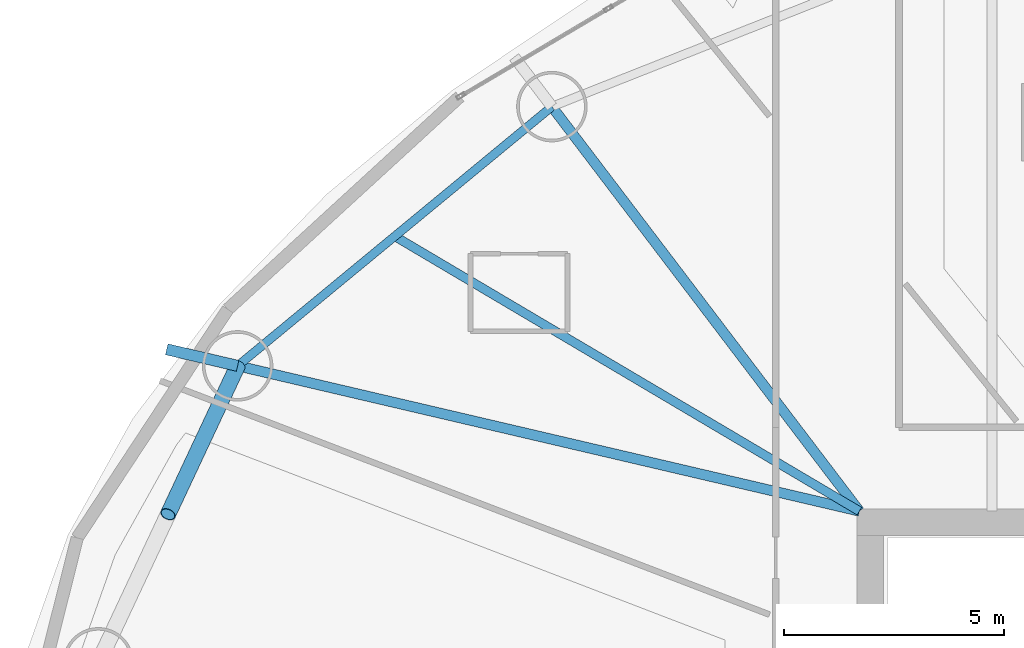
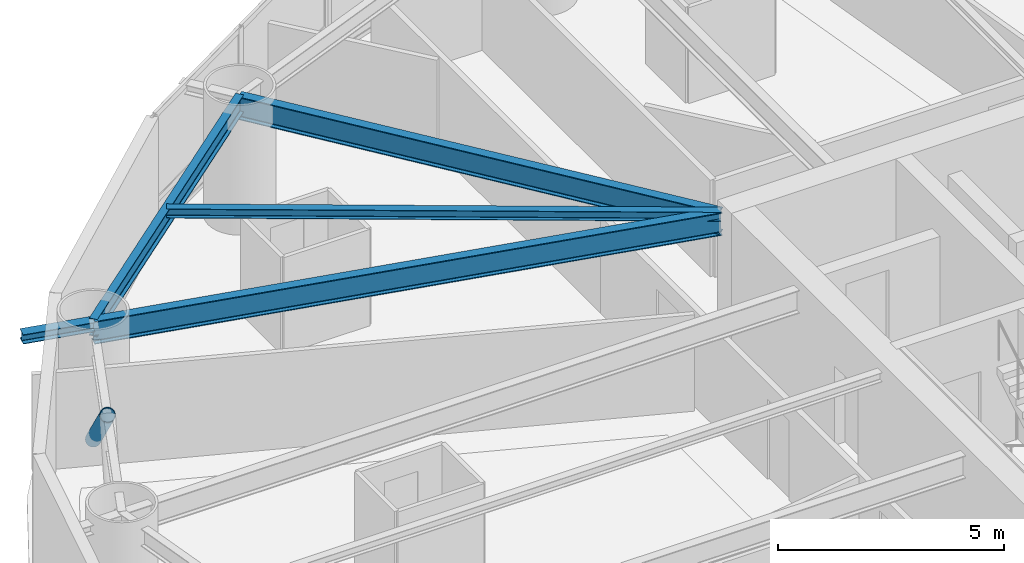
# One storey, part 11 of 25: 5 beams, 1 member.
"""IFC4 building model written with IfcOpenShell, lengths in metres."""

from ifc_helpers import new_model, si_unit, direction, frame, origin, origin_2d, place, context, subcontext, project, spatial, hollow_circle, i_section, extrude, material, material_profile, profile_set, type_object, element, save


model = new_model("IFC4")

# Units and contexts
model_context = context("Model", 3, precision=1e-05, world=origin(), true_north=direction((0.0, 1.0)))
body_context = subcontext(model_context, "Body", "Model", "MODEL_VIEW")
ifc_project = project(units=[si_unit("LENGTHUNIT", "METRE"), si_unit("AREAUNIT", "SQUARE_METRE"), si_unit("VOLUMEUNIT", "CUBIC_METRE"), si_unit("PLANEANGLEUNIT", "RADIAN"), si_unit("MASSUNIT", "GRAM", prefix="KILO")], contexts=[model_context])

# Site, building, storey
site_placement = place(None, origin())
site = spatial("IfcSite", under=ifc_project, at=site_placement, CompositionType="ELEMENT")
building_placement = place(site_placement, origin())
building = spatial("IfcBuilding", under=site, at=building_placement, Name="Bramvorn Convention Spire", CompositionType="ELEMENT")
storey_placement = place(building_placement, frame((0.0, 0.0, 48.39990234375)))
storey = spatial("IfcBuildingStorey", under=building, at=storey_placement, Name="L09", CompositionType="ELEMENT", Elevation=48.39990234375)

# Beams
ifc_material = material(Name="Steel CSA G40.21 Grade 350 (350W)", Category="steel")
ifc_material_profile_1 = material_profile(ifc_material, i_section(OverallWidth=0.201904296875, OverallDepth=0.2470703125, WebThickness=0.00732421875, FlangeThickness=0.010986328125, FilletRadius=0.011962890625, at=origin_2d()))
ifc_profile_set_1 = profile_set([ifc_material_profile_1], Name="Steel CSA G40.21 Grade 350 (350W) - W250X49")
beam_type_1 = type_object("IfcBeamType", Name="BM-W250X49", PredefinedType="JOIST", material=ifc_profile_set_1)
beam_1_placement = place(storey_placement, frame((26.75, 33.449951171875, 3.126708984375), z_axis=(-0.860664556648, 0.509172388223, 0.0), x_axis=(-0.509172388223, -0.860664556648, 0.0)))
element("IfcBeam", 1, at=beam_1_placement, inside=storey, type_object=beam_type_1, Name="L09 composite floor joist 07", PredefinedType="JOIST", context=body_context, shape_type="SweptSolid", body=[
    extrude(i_section(OverallWidth=0.201904296875, OverallDepth=0.2470703125, WebThickness=0.00732421875, FlangeThickness=0.010986328125, FilletRadius=0.011962890625, at=origin_2d()), origin(), (0.0, 0.0, 1.0), 12.25048828125),
])
ifc_material_profile_2 = material_profile(ifc_material, i_section(OverallWidth=0.25390625, OverallDepth=0.2529296875, WebThickness=0.008544921875, FlangeThickness=0.01416015625, FilletRadius=0.011962890625, at=origin_2d()))
ifc_profile_set_2 = profile_set([ifc_material_profile_2], Name="Steel CSA G40.21 Grade 350 (350W) - W250X73")
beam_type_2 = type_object("IfcBeamType", Name="BM-W250X73", PredefinedType="BEAM", material=ifc_profile_set_2)
beam_2_placement = place(storey_placement, frame((12.64111328125, 36.746337890625, 3.108642578125), z_axis=(-0.973772509278, 0.227523845287, 0.0), x_axis=(-0.227523845287, -0.973772509278, 0.0)))
element("IfcBeam", 2, at=beam_2_placement, inside=storey, type_object=beam_type_2, Name="L09 slab-edge cantilever tip beam MC08", PredefinedType="BEAM", context=body_context, shape_type="SweptSolid", body=[
    extrude(i_section(OverallWidth=0.25390625, OverallDepth=0.2529296875, WebThickness=0.008544921875, FlangeThickness=0.01416015625, FilletRadius=0.011962890625, at=origin_2d()), origin(), (0.0, 0.0, 1.0), 1.652587890625),
])
ifc_material_profile_3 = material_profile(ifc_material, i_section(OverallWidth=0.194091796875, OverallDepth=0.468994140625, WebThickness=0.0126953125, FlangeThickness=0.0205078125, FilletRadius=0.01806640625, at=origin_2d()))
ifc_profile_set_3 = profile_set([ifc_material_profile_3], Name="Steel CSA G40.21 Grade 350 (350W) - W460X106")
beam_type_3 = type_object("IfcBeamType", Name="BM-W460X106", PredefinedType="SPANDREL", material=ifc_profile_set_3)
beam_3_placement = place(storey_placement, frame((19.772216796875, 42.628662109375, 3.015625), z_axis=(-0.771417680101, -0.636329130896, 0.0), x_axis=(0.636329130896, -0.771417680101, 0.0)))
element("IfcBeam", 3, at=beam_3_placement, inside=storey, type_object=beam_type_3, Name="L09 mega-column ring beam 07", PredefinedType="SPANDREL", context=body_context, shape_type="SweptSolid", body=[
    extrude(i_section(OverallWidth=0.194091796875, OverallDepth=0.468994140625, WebThickness=0.0126953125, FlangeThickness=0.0205078125, FilletRadius=0.01806640625, at=origin_2d()), origin(), (0.0, 0.0, 1.0), 9.244140625),
])
ifc_material_profile_4 = material_profile(ifc_material, i_section(OverallWidth=0.22998046875, OverallDepth=0.616943359375, WebThickness=0.01318359375, FlangeThickness=0.022216796875, FilletRadius=0.02001953125, at=origin_2d()))
ifc_profile_set_4 = profile_set([ifc_material_profile_4], Name="Steel CSA G40.21 Grade 350 (350W) - W610X140")
beam_type_4 = type_object("IfcBeamType", Name="BM-W610X140", PredefinedType="BEAM", material=ifc_profile_set_4)
beam_4_placement = place(storey_placement, frame((26.75, 33.449951171875, 2.941650390625), z_axis=(-0.605191175112, 0.796080172826, 0.0), x_axis=(-0.796080172826, -0.605191175112, 0.0)))
element("IfcBeam", 4, at=beam_4_placement, inside=storey, type_object=beam_type_4, Name="L09 radial floor girder MC07", PredefinedType="BEAM", context=body_context, shape_type="SweptSolid", body=[
    extrude(i_section(OverallWidth=0.22998046875, OverallDepth=0.616943359375, WebThickness=0.01318359375, FlangeThickness=0.022216796875, FilletRadius=0.02001953125, at=origin_2d()), origin(), (0.0, 0.0, 1.0), 11.52978515625),
])
beam_5_placement = place(storey_placement, frame((26.75, 33.449951171875, 2.941650390625), z_axis=(-0.973775294862, 0.227511923018, 0.0), x_axis=(-0.227511923018, -0.973775294862, 0.0)))
element("IfcBeam", 5, at=beam_5_placement, inside=storey, type_object=beam_type_4, Name="L09 radial floor girder MC08", PredefinedType="BEAM", context=body_context, shape_type="SweptSolid", body=[
    extrude(i_section(OverallWidth=0.22998046875, OverallDepth=0.616943359375, WebThickness=0.01318359375, FlangeThickness=0.022216796875, FilletRadius=0.02001953125, at=origin_2d()), origin(), (0.0, 0.0, 1.0), 14.48876953125),
])

# Member
ifc_material_profile_5 = material_profile(ifc_material, hollow_circle(Radius=0.177734375, WallThickness=0.015869140625, at=origin_2d()))
ifc_profile_set_5 = profile_set([ifc_material_profile_5], Name="Steel CSA G40.21 Grade 350 (350W) - CHS356X16")
member_type = type_object("IfcMemberType", Name="MBR-CHS356X16", PredefinedType="BRACE", material=ifc_profile_set_5)
member_placement = place(storey_placement, frame((12.64111328125, 36.746337890625, 0.0), z_axis=(-0.319854623913, -0.681908513826, 0.65779464754), x_axis=(0.905351753695, -0.424662456643, 0.0)))
element("IfcMember", 6, at=member_placement, inside=storey, type_object=member_type, Name="L09 perimeter Gothic lancet brace 8A", PredefinedType="BRACE", context=body_context, shape_type="SweptSolid", body=[
    extrude(hollow_circle(Radius=0.177734375, WallThickness=0.015869140625, at=origin_2d()), origin(), (0.0, 0.0, 1.0), 4.940673828125),
])

save(model, "model.ifc")
